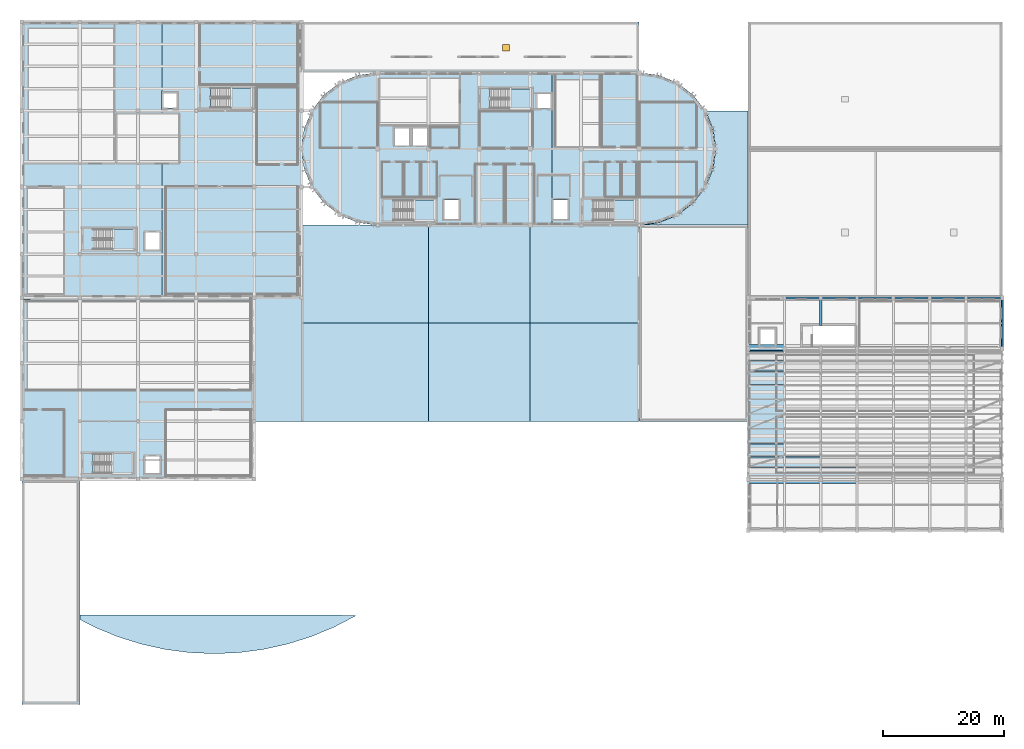
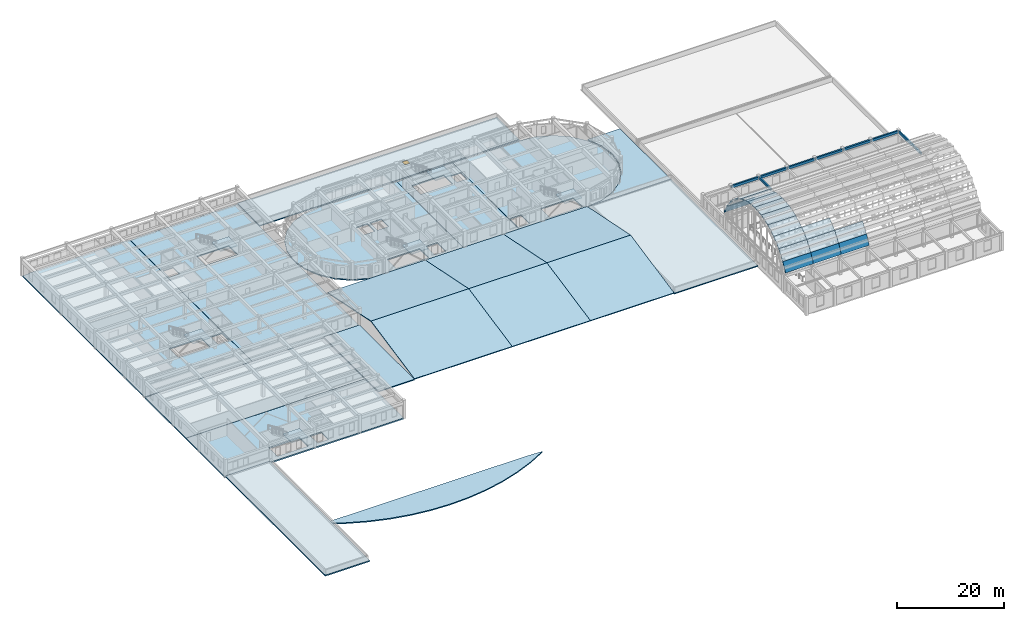
# One storey, part 12 of 46: 25 slabs, 17 plates, 8 beams, 1 door, 1 opening, 6 elements without a shape of their own.
"""IFC4 building model written with IfcOpenShell, lengths in metres."""

from ifc_helpers import new_model, si_unit, direction, frame, origin, origin_2d, place, context, subcontext, project, spatial, polyline, rectangle, outline, extrude, material, layer, layer_set, material_profile, profile_set, type_object, element, fill, aggregate, save


model = new_model("IFC4")

# Units and contexts
model_context = context("Model", 3, precision=1e-05, world=origin(), true_north=direction((0.0, 1.0)))
body_context = subcontext(model_context, "Body", "Model", "MODEL_VIEW")
ifc_project = project(units=[si_unit("LENGTHUNIT", "METRE"), si_unit("AREAUNIT", "SQUARE_METRE"), si_unit("VOLUMEUNIT", "CUBIC_METRE"), si_unit("PLANEANGLEUNIT", "RADIAN"), si_unit("MASSUNIT", "GRAM", prefix="KILO")], contexts=[model_context])

# Site, building, storey
site_placement = place(None, origin())
site = spatial("IfcSite", under=ifc_project, at=site_placement, CompositionType="ELEMENT")
building_placement = place(site_placement, origin())
building = spatial("IfcBuilding", under=site, at=building_placement, Name="Tarnavel Promenade Courthouse", CompositionType="ELEMENT")
storey_placement = place(building_placement, frame((0.0, 0.0, 14.39990234375)))
storey = spatial("IfcBuildingStorey", under=building, at=storey_placement, Name="L04", CompositionType="ELEMENT", Elevation=14.39990234375)

# Beams
ifc_material_1 = material(Name="Concrete C40/50", Category="concrete")
ifc_material_profile_1 = material_profile(ifc_material_1, rectangle(XDim=0.35009765625, YDim=0.449951171875, at=origin_2d()), Name="RC 350x450")
ifc_profile_set_1 = profile_set([ifc_material_profile_1], Name="Concrete C40/50")
beam_type_1 = type_object("IfcBeamType", Name="Concrete C40/50 BM-RC-350x450 (RC 350x450)", PredefinedType="BEAM", material=ifc_profile_set_1)
beam_1_placement = place(storey_placement, frame((132.0, 62.64990234375, 3.72998046875), z_axis=(0.0, 1.0, 0.0), x_axis=(-1.0, 0.0, 0.0)))
element("IfcBeam", 1, at=beam_1_placement, inside=storey, type_object=beam_type_1, Name="L04 Transverse Girder 2122", PredefinedType="BEAM", context=body_context, shape_type="SweptSolid", body=[
    extrude(rectangle(XDim=0.35009765625, YDim=0.449951171875, at=origin_2d()), origin(), (0.0, 0.0, 1.0), 4.550048828125),
])
ifc_material_profile_2 = material_profile(ifc_material_1, rectangle(XDim=0.35009765625, YDim=0.550048828125, at=origin_2d()), Name="RC 350x550")
ifc_profile_set_2 = profile_set([ifc_material_profile_2], Name="Concrete C40/50")
beam_type_2 = type_object("IfcBeamType", Name="Concrete C40/50 BM-RC-350x550 (RC 350x550)", PredefinedType="BEAM", material=ifc_profile_set_2)
for number, where, z_axis, x_axis, name in (
    (2, (126.0, 67.199951171875, 3.68017578125), (1.0, 0.0, 0.0), (0.0, 1.0, 0.0), "L04 Primary Longitudinal Beam 2017"),
    (3, (132.0, 67.199951171875, 3.68017578125), (1.0, 0.0, 0.0), (0.0, 1.0, 0.0), "L04 Primary Longitudinal Beam 2018"),
    (4, (138.0, 67.199951171875, 3.68017578125), (1.0, 0.0, 0.0), (0.0, 1.0, 0.0), "L04 Primary Longitudinal Beam 2019"),
    (5, (144.0, 67.199951171875, 3.68017578125), (1.0, 0.0, 0.0), (0.0, 1.0, 0.0), "L04 Primary Longitudinal Beam 2020"),
    (6, (150.0, 67.199951171875, 3.68017578125), (1.0, 0.0, 0.0), (0.0, 1.0, 0.0), "L04 Primary Longitudinal Beam 2021"),
    (7, (156.0, 67.199951171875, 3.68017578125), (1.0, 0.0, 0.0), (0.0, 1.0, 0.0), "L04 Primary Longitudinal Beam 2022"),
):
    element("IfcBeam", number, at=place(storey_placement, frame(where, z_axis=z_axis, x_axis=x_axis)), inside=storey, type_object=beam_type_2, Name=name, PredefinedType="BEAM", context=body_context, shape_type="SweptSolid", body=[
        extrude(rectangle(XDim=0.35009765625, YDim=0.550048828125, at=origin_2d()), origin(), (0.0, 0.0, 1.0), 6.0),
    ])
ifc_material_profile_3 = material_profile(ifc_material_1, rectangle(XDim=0.300048828125, YDim=0.5, at=origin_2d()), Name="RC 300x500")
ifc_profile_set_3 = profile_set([ifc_material_profile_3], Name="Concrete C40/50")
beam_type_3 = type_object("IfcBeamType", Name="Concrete C40/50 BM-SP-300x500 (RC 300x500)", PredefinedType="SPANDREL", material=ifc_profile_set_3)
beam_2_placement = place(storey_placement, frame((162.0, 58.800048828125, 3.705078125), z_axis=(0.0, 1.0, 0.0), x_axis=(-1.0, 0.0, 0.0)))
element("IfcBeam", 8, at=beam_2_placement, inside=storey, type_object=beam_type_3, Name="L04 Transverse Girder 2132", PredefinedType="SPANDREL", context=body_context, shape_type="SweptSolid", body=[
    extrude(rectangle(XDim=0.300048828125, YDim=0.5, at=origin_2d()), origin(), (0.0, 0.0, 1.0), 8.39990234375),
])

# Slabs
ifc_material_2 = material(Name="Concrete C35/45", Category="concrete")
ifc_layer_1 = layer(ifc_material_2, 0.215087890625)
ifc_layer_set_1 = layer_set([ifc_layer_1], Name="Concrete C35/45")
slab_type_1 = type_object("IfcSlabType", Name="Concrete C35/45 SLB-RF-215 (215 mm)", PredefinedType="ROOF", material=ifc_layer_set_1)
for number, where, z_axis, x_axis, name in (
    (9, (46.199951171875, 46.800048828125, 0.340087890625), (0.0, -0.199607895563, 0.979875853376), (1.0, 0.0, 0.0), "L04 Winter-Garden Concourse South Pitched Roof 1"),
    (10, (46.199951171875, 63.0, 3.64013671875), (0.0, 0.199607895563, 0.979875853376), (1.0, 0.0, 0.0), "L04 Winter-Garden Concourse North Pitched Roof 1"),
):
    element("IfcSlab", number, at=place(storey_placement, frame(where, z_axis=z_axis, x_axis=x_axis)), inside=storey, type_object=slab_type_1, Name=name, PredefinedType="ROOF", context=body_context, shape_type="SweptSolid", body=[
        extrude(outline(polyline([(0.0, 0.0), (21.0, 0.0), (21.0, 16.532656781024134), (0.0, 16.532656781024134), (0.0, 0.0)])), origin(), (0.0, 0.0, -1.0), 0.215087890625),
    ])
for number, where, z_axis, x_axis, name in (
    (11, (67.199951171875, 46.800048828125, 0.340087890625), (0.0, -0.199607895563, 0.979875853376), (1.0, 0.0, 0.0), "L04 Winter-Garden Concourse South Pitched Roof 2"),
    (12, (67.199951171875, 63.0, 3.64013671875), (0.0, 0.199607895563, 0.979875853376), (1.0, 0.0, 0.0), "L04 Winter-Garden Concourse North Pitched Roof 2"),
):
    element("IfcSlab", number, at=place(storey_placement, frame(where, z_axis=z_axis, x_axis=x_axis)), inside=storey, type_object=slab_type_1, Name=name, PredefinedType="ROOF", context=body_context, shape_type="SweptSolid", body=[
        extrude(outline(polyline([(0.0, 0.0), (16.800048828125, 0.0), (16.800048828125, 16.532656781024134), (0.0, 16.532656781024134), (0.0, 0.0)])), origin(), (0.0, 0.0, -1.0), 0.215087890625),
    ])
for number, where, z_axis, x_axis, name in (
    (13, (84.0, 46.800048828125, 0.340087890625), (0.0, -0.199607895563, 0.979875853376), (1.0, 0.0, 0.0), "L04 Winter-Garden Concourse South Pitched Roof 3"),
    (14, (84.0, 63.0, 3.64013671875), (0.0, 0.199607895563, 0.979875853376), (1.0, 0.0, 0.0), "L04 Winter-Garden Concourse North Pitched Roof 3"),
):
    element("IfcSlab", number, at=place(storey_placement, frame(where, z_axis=z_axis, x_axis=x_axis)), inside=storey, type_object=slab_type_1, Name=name, PredefinedType="ROOF", context=body_context, shape_type="SweptSolid", body=[
        extrude(outline(polyline([(0.0, 0.0), (18.0, 0.0), (18.0, 16.532656781024134), (0.0, 16.532656781024134), (0.0, 0.0)])), origin(), (0.0, 0.0, -1.0), 0.215087890625),
    ])
ifc_layer_2 = layer(ifc_material_2, 0.235107421875)
ifc_layer_set_2 = layer_set([ifc_layer_2], Name="Concrete C35/45")
slab_type_2 = type_object("IfcSlabType", Name="Concrete C35/45 SLB-RF-235 (235 mm)", PredefinedType="ROOF", material=ifc_layer_set_2)
slab_1_placement = place(storey_placement, origin())
element("IfcSlab", 15, at=slab_1_placement, inside=storey, type_object=slab_type_2, Name="L04 East Custody Link Neck Roof", PredefinedType="ROOF", context=body_context, shape_type="SweptSolid", body=[
    extrude(outline(polyline([(102.050048828125, 79.219970703125), (119.97998046875, 79.219970703125), (119.97998046875, 98.10009765625), (112.9619140625, 98.10009765625), (114.220703125, 95.06103515625), (114.64990234375, 91.800048828125), (114.220703125, 88.538818359375), (112.9619140625, 85.5), (110.95947265625, 82.890380859375), (108.35009765625, 80.88818359375), (105.31103515625, 79.62939453125), (102.050048828125, 79.219970703125)])), origin(), (0.0, 0.0, 1.0), 0.235107421875),
])
slab_2_placement = place(storey_placement, origin())
element("IfcSlab", 16, at=slab_2_placement, inside=storey, type_object=slab_type_2, Name="L04 Winter-Garden East Wing Roof", PredefinedType="ROOF", context=body_context, shape_type="SweptSolid", body=[
    extrude(outline(polyline([(102.02001953125, 46.800048828125), (119.97998046875, 46.800048828125), (119.97998046875, 79.179931640625), (102.02001953125, 79.179931640625), (102.02001953125, 46.800048828125)])), origin(), (0.0, 0.0, 1.0), 0.235107421875),
])
slab_3_placement = place(storey_placement, origin())
element("IfcSlab", 17, at=slab_3_placement, inside=storey, type_object=slab_type_2, Name="L04 Winter-Garden West Library Link Roof", PredefinedType="ROOF", context=body_context, shape_type="SweptSolid", body=[
    extrude(outline(polyline([(38.419921875, 46.800048828125), (46.179931640625, 46.800048828125), (46.179931640625, 67.179931640625), (38.419921875, 67.179931640625), (38.419921875, 46.800048828125)])), origin(), (0.0, 0.0, 1.0), 0.235107421875),
])

# Slab, opening, door
slab_4_placement = place(storey_placement, origin())
slab_4 = element("IfcSlab", 18, at=slab_4_placement, inside=storey, type_object=slab_type_2, Name="L04 North Entrance Foyer Roof", PredefinedType="ROOF", context=body_context, shape_type="SweptSolid", body=[
    extrude(outline(polyline([(46.219970703125, 104.419921875), (102.0, 104.419921875), (102.0, 112.800048828125), (46.219970703125, 112.800048828125), (46.219970703125, 104.419921875)])), origin(), (0.0, 0.0, 1.0), 0.235107421875),
])
opening_placement = place(slab_4_placement, frame((80.0, 108.5, 0.0)))
opening = element("IfcOpeningElement", 19, at=opening_placement, cuts=slab_4, Name="Opening HT-01", PredefinedType="OPENING", context=body_context, shape_type="SweptSolid", body=[
    extrude(rectangle(XDim=1.10009765625, YDim=1.10009765625, at=origin_2d()), origin(), (0.0, 0.0, 1.0), 0.235107421875),
])
ifc_material_3 = material(Name="Thermally Broken Insulated Aluminium Roof Access Hatch", Category="aluminium")
door_type = type_object("IfcDoorType", Name="Thermally Broken Insulated Aluminium Roof Access Hatch (HT-RF-1100x1100)", OperationType="NOTDEFINED", PredefinedType="TRAPDOOR", material=ifc_material_3)
door_placement = place(opening_placement, frame((0.0, 0.0, 0.18505859375)))
door = element("IfcDoor", 20, at=door_placement, inside=storey, type_object=door_type, Name="L04 Roof Maintenance Access Hatch HT-03", OperationType="SINGLE_SWING_LEFT", OverallHeight=1.10009765625, OverallWidth=1.10009765625, PredefinedType="TRAPDOOR", context=body_context, shape_type="SweptSolid", body=[
    extrude(rectangle(XDim=1.10009765625, YDim=1.10009765625, at=origin_2d()), origin(), (0.0, 0.0, 1.0), 0.050048828125),
])
fill(opening, door)

# Slabs
slab_5_placement = place(storey_placement, origin())
element("IfcSlab", 21, at=slab_5_placement, inside=storey, type_object=slab_type_2, Name="L04 Public Drum Front Eave Collar Roof", PredefinedType="ROOF", context=body_context, shape_type="SweptSolid", body=[
    extrude(outline(polyline([(51.60009765625, 14.800048828125), (55.199951171875, 14.669921875), (51.57861328125, 12.784912109375), (47.806396484375, 11.222412109375), (43.91259765625, 9.99462890625), (39.9267578125, 9.111083984375), (35.87890625, 8.578125), (31.800048828125, 8.39990234375), (27.72119140625, 8.578125), (23.67333984375, 9.111083984375), (19.687255859375, 9.99462890625), (15.79345703125, 11.222412109375), (12.021484375, 12.784912109375), (9.6298828125, 14.02978515625), (9.6298828125, 14.800048828125), (51.60009765625, 14.800048828125)])), origin(), (0.0, 0.0, 1.0), 0.235107421875),
])
ifc_layer_3 = layer(ifc_material_2, 0.264892578125)
ifc_layer_set_3 = layer_set([ifc_layer_3], Name="Concrete C35/45")
slab_type_3 = type_object("IfcSlabType", Name="Concrete C35/45 SLB-RF-265 (265 mm)", PredefinedType="ROOF", material=ifc_layer_set_3)
slab_6_placement = place(storey_placement, origin())
element("IfcSlab", 22, at=slab_6_placement, inside=storey, type_object=slab_type_3, Name="L04 Portal Pavilion Roof", PredefinedType="ROOF", context=body_context, shape_type="SweptSolid", body=[
    extrude(outline(polyline([(0.0, 0.0), (9.60009765625, 0.0), (9.60009765625, 37.199951171875), (0.0, 37.199951171875), (0.0, 0.0)])), origin(), (0.0, 0.0, 1.0), 0.26513671875),
])

# Stair, slab
stair_type_1 = type_object("IfcStairType", Name="Concrete C35/45 Half-Turn Stair STR-03 (1560W-300G-24R)", PredefinedType="HALF_TURN_STAIR", material=ifc_material_2)
stair_1_placement = place(storey_placement, origin())
stair_1 = element("IfcStair", 23, at=stair_1_placement, inside=storey, type_object=stair_type_1, Name="L04 West Bar Firefighting Exit Stair", PredefinedType="HALF_TURN_STAIR")
ifc_layer_4 = layer(ifc_material_2, 0.205078125)
ifc_layer_set_4 = layer_set([ifc_layer_4], Name="Concrete C35/45")
slab_type_4 = type_object("IfcSlabType", Name="Concrete C35/45 Stair Landing SLB-LND-205 (205 mm)", PredefinedType="LANDING", material=ifc_layer_set_4)
slab_7_placement = place(storey_placement, frame((0.0, 0.0, 1.900146484375)))
slab_7 = element("IfcSlab", 24, at=slab_7_placement, type_object=slab_type_4, Name="ST-01 landing 1", PredefinedType="LANDING", context=body_context, shape_type="SweptSolid", body=[
    extrude(outline(polyline([(64.659912109375, 80.0), (68.39990234375, 80.0), (68.39990234375, 83.320068359375), (64.659912109375, 83.320068359375), (64.659912109375, 80.0)])), origin(), (0.0, 0.0, 1.0), 0.199951171875),
])
aggregate(stair_1, [slab_7])

stair_2_placement = place(storey_placement, origin())
stair_2 = element("IfcStair", 25, at=stair_2_placement, inside=storey, type_object=stair_type_1, Name="L04 East Bar Firefighting Exit Stair", PredefinedType="HALF_TURN_STAIR")
slab_8_placement = place(storey_placement, frame((0.0, 0.0, 1.900146484375)))
slab_8 = element("IfcSlab", 26, at=slab_8_placement, type_object=slab_type_4, Name="ST-02 landing 1", PredefinedType="LANDING", context=body_context, shape_type="SweptSolid", body=[
    extrude(outline(polyline([(97.659912109375, 80.0), (101.39990234375, 80.0), (101.39990234375, 83.320068359375), (97.659912109375, 83.320068359375), (97.659912109375, 80.0)])), origin(), (0.0, 0.0, 1.0), 0.199951171875),
])
aggregate(stair_2, [slab_8])

stair_type_2 = type_object("IfcStairType", Name="Concrete C35/45 Half-Turn Stair STR-06 (1520W-290G-24R)", PredefinedType="HALF_TURN_STAIR", material=ifc_material_2)
stair_3_placement = place(storey_placement, origin())
stair_3 = element("IfcStair", 27, at=stair_3_placement, inside=storey, type_object=stair_type_2, Name="L04 Central Judicial Chambers Exit Stair", PredefinedType="HALF_TURN_STAIR")
slab_9_placement = place(storey_placement, frame((0.0, 0.0, 1.900146484375)))
slab_9 = element("IfcSlab", 28, at=slab_9_placement, type_object=slab_type_4, Name="ST-03 landing 1", PredefinedType="LANDING", context=body_context, shape_type="SweptSolid", body=[
    extrude(outline(polyline([(80.510009765625, 98.5), (84.199951171875, 98.5), (84.199951171875, 101.739990234375), (80.510009765625, 101.739990234375), (80.510009765625, 98.5)])), origin(), (0.0, 0.0, 1.0), 0.199951171875),
])
aggregate(stair_3, [slab_9])

stair_type_3 = type_object("IfcStairType", Name="Concrete C35/45 Half-Turn Stair STR-09 (1580W-290G-24R)", PredefinedType="HALF_TURN_STAIR", material=ifc_material_2)
stair_4_placement = place(storey_placement, origin())
stair_4 = element("IfcStair", 29, at=stair_4_placement, inside=storey, type_object=stair_type_3, Name="L04 Trial Courts West Exit Stair", PredefinedType="HALF_TURN_STAIR")
slab_10_placement = place(storey_placement, frame((0.0, 0.0, 1.900146484375)))
slab_10 = element("IfcSlab", 30, at=slab_10_placement, type_object=slab_type_4, Name="ST-04 landing 1", PredefinedType="LANDING", context=body_context, shape_type="SweptSolid", body=[
    extrude(outline(polyline([(14.969970703125, 75.199951171875), (18.699951171875, 75.199951171875), (18.699951171875, 78.56005859375), (14.969970703125, 78.56005859375), (14.969970703125, 75.199951171875)])), origin(), (0.0, 0.0, 1.0), 0.199951171875),
])
aggregate(stair_4, [slab_10])

stair_type_4 = type_object("IfcStairType", Name="Concrete C35/45 Half-Turn Stair STR-12 (1540W-300G-24R)", PredefinedType="HALF_TURN_STAIR", material=ifc_material_2)
stair_5_placement = place(storey_placement, origin())
stair_5 = element("IfcStair", 31, at=stair_5_placement, inside=storey, type_object=stair_type_4, Name="L04 Trial Courts North Exit Stair", PredefinedType="HALF_TURN_STAIR")
slab_11_placement = place(storey_placement, frame((0.0, 0.0, 1.900146484375)))
slab_11 = element("IfcSlab", 32, at=slab_11_placement, type_object=slab_type_4, Name="ST-07 landing 1", PredefinedType="LANDING", context=body_context, shape_type="SweptSolid", body=[
    extrude(outline(polyline([(34.43994140625, 98.60009765625), (38.10009765625, 98.60009765625), (38.10009765625, 101.8798828125), (34.43994140625, 101.8798828125), (34.43994140625, 98.60009765625)])), origin(), (0.0, 0.0, 1.0), 0.199951171875),
])
aggregate(stair_5, [slab_11])

stair_type_5 = type_object("IfcStairType", Name="Concrete C35/45 Half-Turn Stair STR-14 (1520W-280G-24R)", PredefinedType="HALF_TURN_STAIR", material=ifc_material_2)
stair_6_placement = place(storey_placement, origin())
stair_6 = element("IfcStair", 33, at=stair_6_placement, inside=storey, type_object=stair_type_5, Name="L04 Law Library Exit Stair", PredefinedType="HALF_TURN_STAIR")
slab_12_placement = place(storey_placement, frame((0.0, 0.0, 1.900146484375)))
slab_12 = element("IfcSlab", 34, at=slab_12_placement, type_object=slab_type_4, Name="ST-05 landing 1", PredefinedType="LANDING", context=body_context, shape_type="SweptSolid", body=[
    extrude(outline(polyline([(14.800048828125, 38.199951171875), (18.39990234375, 38.199951171875), (18.39990234375, 41.43994140625), (14.800048828125, 41.43994140625), (14.800048828125, 38.199951171875)])), origin(), (0.0, 0.0, 1.0), 0.199951171875),
])
aggregate(stair_6, [slab_12])

# Slabs
ifc_layer_5 = layer(ifc_material_1, 0.25)
ifc_layer_set_5 = layer_set([ifc_layer_5], Name="Concrete C40/50")
slab_type_5 = type_object("IfcSlabType", Name="Concrete C40/50 SLB-PT-250 (250 mm)", PredefinedType="FLOOR", material=ifc_layer_set_5)
slab_13_placement = place(storey_placement, frame((0.0, 0.0, -0.25)))
element("IfcSlab", 35, at=slab_13_placement, inside=storey, type_object=slab_type_5, Name="L04 Stacked Courts West Drum Floor Slab", PredefinedType="FLOOR", context=body_context, shape_type="SweptSolid", body=[
    extrude(outline(polyline([(75.580078125, 79.219970703125), (75.580078125, 104.3798828125), (58.800048828125, 104.39990234375), (55.538818359375, 103.970703125), (52.5, 102.7119140625), (49.890380859375, 100.70947265625), (47.88818359375, 98.10009765625), (46.62939453125, 95.06103515625), (46.199951171875, 91.800048828125), (46.62939453125, 88.538818359375), (47.88818359375, 85.5), (49.890380859375, 82.890380859375), (52.5, 80.88818359375), (55.538818359375, 79.62939453125), (58.800048828125, 79.199951171875), (75.580078125, 79.219970703125)]), holes=[polyline([(61.405029296875, 80.0), (68.39990234375, 80.0), (68.39990234375, 83.320068359375), (61.405029296875, 83.320068359375), (61.405029296875, 80.0)]), polyline([(69.800048828125, 80.199951171875), (72.199951171875, 80.199951171875), (72.199951171875, 83.39990234375), (69.800048828125, 83.39990234375), (69.800048828125, 80.199951171875)]), polyline([(61.60009765625, 92.39990234375), (64.0, 92.39990234375), (64.0, 95.199951171875), (61.60009765625, 95.199951171875), (61.60009765625, 92.39990234375)]), polyline([(64.60009765625, 92.39990234375), (67.0, 92.39990234375), (67.0, 95.199951171875), (64.60009765625, 95.199951171875), (64.60009765625, 92.39990234375)])]), origin(), (0.0, 0.0, 1.0), 0.25),
])
slab_14_placement = place(storey_placement, frame((0.0, 0.0, -0.25)))
element("IfcSlab", 36, at=slab_14_placement, inside=storey, type_object=slab_type_5, Name="L04 Stacked Courts Central Floor Slab", PredefinedType="FLOOR", context=body_context, shape_type="SweptSolid", body=[
    extrude(outline(polyline([(75.6201171875, 79.219970703125), (87.580078125, 79.219970703125), (87.580078125, 104.3798828125), (77.02001953125, 104.3798828125), (77.02001953125, 104.219970703125), (75.6201171875, 104.219970703125), (75.6201171875, 79.219970703125)]), holes=[polyline([(77.364990234375, 98.5), (84.199951171875, 98.5), (84.199951171875, 101.739990234375), (77.364990234375, 101.739990234375), (77.364990234375, 98.5)]), polyline([(85.199951171875, 98.5), (87.39990234375, 98.5), (87.39990234375, 100.89990234375), (85.199951171875, 100.89990234375), (85.199951171875, 98.5)])]), origin(), (0.0, 0.0, 1.0), 0.25),
])
slab_15_placement = place(storey_placement, frame((0.0, 0.0, -0.25)))
element("IfcSlab", 37, at=slab_15_placement, inside=storey, type_object=slab_type_5, Name="L04 Stacked Courts East Drum Floor Slab", PredefinedType="FLOOR", context=body_context, shape_type="SweptSolid", body=[
    extrude(outline(polyline([(87.6201171875, 104.3798828125), (87.6201171875, 79.219970703125), (102.0, 79.199951171875), (105.26123046875, 79.62939453125), (108.300048828125, 80.88818359375), (110.909423828125, 82.890380859375), (112.911865234375, 85.5), (114.170654296875, 88.538818359375), (114.60009765625, 91.800048828125), (114.170654296875, 95.06103515625), (112.911865234375, 98.10009765625), (110.909423828125, 100.70947265625), (108.300048828125, 102.7119140625), (105.26123046875, 103.970703125), (102.0, 104.39990234375), (87.6201171875, 104.3798828125)]), holes=[polyline([(94.405029296875, 80.0), (101.39990234375, 80.0), (101.39990234375, 83.320068359375), (94.405029296875, 83.320068359375), (94.405029296875, 80.0)]), polyline([(87.800048828125, 80.199951171875), (90.199951171875, 80.199951171875), (90.199951171875, 83.39990234375), (87.800048828125, 83.39990234375), (87.800048828125, 80.199951171875)])]), origin(), (0.0, 0.0, 1.0), 0.25),
])
slab_16_placement = place(storey_placement, frame((0.0, 0.0, -0.25)))
element("IfcSlab", 38, at=slab_16_placement, inside=storey, type_object=slab_type_5, Name="L04 Trial Courtrooms W PT Floor Slab", PredefinedType="FLOOR", context=body_context, shape_type="SweptSolid", body=[
    extrude(outline(polyline([(0.0, 67.219970703125), (23.080078125, 67.219970703125), (23.080078125, 112.800048828125), (1.39990234375, 112.800048828125), (1.39990234375, 112.639892578125), (0.0, 112.639892578125), (0.0, 67.219970703125)]), holes=[polyline([(11.824951171875, 75.199951171875), (18.699951171875, 75.199951171875), (18.699951171875, 78.56005859375), (11.824951171875, 78.56005859375), (11.824951171875, 75.199951171875)]), polyline([(20.39990234375, 75.199951171875), (22.800048828125, 75.199951171875), (22.800048828125, 78.0), (20.39990234375, 78.0), (20.39990234375, 75.199951171875)])]), origin(), (0.0, 0.0, 1.0), 0.25),
])
slab_17_placement = place(storey_placement, frame((0.0, 0.0, -0.25)))
element("IfcSlab", 39, at=slab_17_placement, inside=storey, type_object=slab_type_5, Name="L04 Trial Courtrooms E PT Floor Slab", PredefinedType="FLOOR", context=body_context, shape_type="SweptSolid", body=[
    extrude(outline(polyline([(23.1201171875, 67.219970703125), (46.179931640625, 67.219970703125), (46.179931640625, 112.800048828125), (24.52001953125, 112.800048828125), (24.52001953125, 112.639892578125), (23.1201171875, 112.639892578125), (23.1201171875, 67.219970703125)]), holes=[polyline([(31.18505859375, 98.60009765625), (38.10009765625, 98.60009765625), (38.10009765625, 101.8798828125), (31.18505859375, 101.8798828125), (31.18505859375, 98.60009765625)]), polyline([(23.39990234375, 98.60009765625), (25.60009765625, 98.60009765625), (25.60009765625, 101.0), (23.39990234375, 101.0), (23.39990234375, 98.60009765625)])]), origin(), (0.0, 0.0, 1.0), 0.25),
])
ifc_layer_6 = layer(ifc_material_1, 0.300048828125)
ifc_layer_set_6 = layer_set([ifc_layer_6], Name="Concrete C40/50")
slab_type_6 = type_object("IfcSlabType", Name="Concrete C40/50 SLB-STK-300 (300 mm)", PredefinedType="FLOOR", material=ifc_layer_set_6)
slab_18_placement = place(storey_placement, frame((0.0, 0.0, -0.2998046875)))
element("IfcSlab", 40, at=slab_18_placement, inside=storey, type_object=slab_type_6, Name="L04 Law Library S Heavy Stack Slab", PredefinedType="FLOOR", context=body_context, shape_type="SweptSolid", body=[
    extrude(outline(polyline([(0.0, 37.39990234375), (1.39990234375, 37.39990234375), (1.39990234375, 37.239990234375), (38.3798828125, 37.239990234375), (38.3798828125, 51.800048828125), (0.0, 51.800048828125), (0.0, 37.39990234375)]), holes=[polyline([(11.764892578125, 38.199951171875), (18.39990234375, 38.199951171875), (18.39990234375, 41.43994140625), (11.764892578125, 41.43994140625), (11.764892578125, 38.199951171875)]), polyline([(20.39990234375, 38.199951171875), (22.800048828125, 38.199951171875), (22.800048828125, 41.0), (20.39990234375, 41.0), (20.39990234375, 38.199951171875)])]), origin(), (0.0, 0.0, 1.0), 0.2998046875),
])
slab_19_placement = place(storey_placement, frame((0.0, 0.0, -0.2998046875)))
element("IfcSlab", 41, at=slab_19_placement, inside=storey, type_object=slab_type_6, Name="L04 Law Library N Heavy Stack Slab", PredefinedType="FLOOR", context=body_context, shape_type="SweptSolid", body=[
    extrude(outline(polyline([(0.0, 51.840087890625), (38.3798828125, 51.840087890625), (38.3798828125, 67.179931640625), (1.39990234375, 67.179931640625), (1.39990234375, 67.02001953125), (0.0, 67.02001953125), (0.0, 51.840087890625)])), origin(), (0.0, 0.0, 1.0), 0.2998046875),
])

# Plates
ifc_material_4 = material(Name="Standing-Seam Copper Insulated Roof Assembly")
ifc_layer_7 = layer(ifc_material_4, 0.195068359375)
ifc_layer_set_7 = layer_set([ifc_layer_7], Name="Standing-Seam Copper Insulated Roof Assembly")
plate_type_1 = type_object("IfcPlateType", Name="Standing-Seam Copper Insulated Roof Assembly PLT-VLT-V1-CROWN (195 mm)", PredefinedType="SHEET", material=ifc_layer_set_7)
plate_1_placement = place(storey_placement, frame((120.0, 40.89501953125, 10.470703125), z_axis=(0.0, -0.500118252027, 0.865957120179), x_axis=(1.0, 0.0, 0.0)))
element("IfcPlate", 42, at=plate_1_placement, inside=storey, type_object=plate_type_1, Name="Barrel Vault Roof Panel V1 Bay 01 Facet 04", PredefinedType="SHEET", context=body_context, shape_type="SweptSolid", body=[
    extrude(outline(polyline([(0.0, 0.0), (6.0, 0.0), (6.0, 2.5272343300859914), (0.0, 2.5272343300859914), (0.0, 0.0)])), origin(), (0.0, 0.0, -1.0), 0.195068359375),
])
plate_2_placement = place(storey_placement, frame((120.0, 43.08349609375, 11.734619140625), z_axis=(0.0, -0.309147237065, 0.95101418802), x_axis=(1.0, 0.0, 0.0)))
element("IfcPlate", 43, at=plate_2_placement, inside=storey, type_object=plate_type_1, Name="Barrel Vault Roof Panel V1 Bay 01 Facet 05", PredefinedType="SHEET", context=body_context, shape_type="SweptSolid", body=[
    extrude(outline(polyline([(0.0, 0.0), (6.0, 0.0), (6.0, 2.5271129945008584), (0.0, 2.5271129945008584), (0.0, 0.0)])), origin(), (0.0, 0.0, -1.0), 0.195068359375),
])
for number, where, z_axis, x_axis, name in (
    (44, (120.0, 45.48681640625, 12.515869140625), (0.0, -0.104533910174, 0.99452132286), (1.0, 0.0, 0.0), "Barrel Vault Roof Panel V1 Bay 01 Facet 06"),
    (45, (120.0, 48.0, 12.780029296875), (0.0, 0.104533910174, 0.99452132286), (1.0, 0.0, 0.0), "Barrel Vault Roof Panel V1 Bay 01 Facet 07"),
):
    element("IfcPlate", number, at=place(storey_placement, frame(where, z_axis=z_axis, x_axis=x_axis)), inside=storey, type_object=plate_type_1, Name=name, PredefinedType="SHEET", context=body_context, shape_type="SweptSolid", body=[
        extrude(outline(polyline([(0.0, 0.0), (6.0, 0.0), (6.0, 2.5270283662919555), (0.0, 2.5270283662919555), (0.0, 0.0)])), origin(), (0.0, 0.0, -1.0), 0.195068359375),
    ])
plate_3_placement = place(storey_placement, frame((120.0, 50.51318359375, 12.515869140625), z_axis=(0.0, 0.309147237065, 0.95101418802), x_axis=(1.0, 0.0, 0.0)))
element("IfcPlate", 46, at=plate_3_placement, inside=storey, type_object=plate_type_1, Name="Barrel Vault Roof Panel V1 Bay 01 Facet 08", PredefinedType="SHEET", context=body_context, shape_type="SweptSolid", body=[
    extrude(outline(polyline([(0.0, 0.0), (6.0, 0.0), (6.0, 2.5271129945008584), (0.0, 2.5271129945008584), (0.0, 0.0)])), origin(), (0.0, 0.0, -1.0), 0.195068359375),
])
plate_4_placement = place(storey_placement, frame((120.0, 52.91650390625, 11.734619140625), z_axis=(0.0, 0.500118252027, 0.865957120179), x_axis=(1.0, 0.0, 0.0)))
element("IfcPlate", 47, at=plate_4_placement, inside=storey, type_object=plate_type_1, Name="Barrel Vault Roof Panel V1 Bay 01 Facet 09", PredefinedType="SHEET", context=body_context, shape_type="SweptSolid", body=[
    extrude(outline(polyline([(0.0, 0.0), (6.0, 0.0), (6.0, 2.5272343300859914), (0.0, 2.5272343300859914), (0.0, 0.0)])), origin(), (0.0, 0.0, -1.0), 0.195068359375),
])
ifc_layer_8 = layer(ifc_material_4, 0.18505859375)
ifc_layer_set_8 = layer_set([ifc_layer_8], Name="Standing-Seam Copper Insulated Roof Assembly")
plate_type_2 = type_object("IfcPlateType", Name="Standing-Seam Copper Insulated Roof Assembly PLT-VLT-V1-LOW (185 mm)", PredefinedType="SHEET", material=ifc_layer_set_8)
plate_5_placement = place(storey_placement, frame((120.0, 36.505615234375, 4.780029296875), z_axis=(0.0, -0.885198711289, 0.465213114103), x_axis=(1.0, 0.0, 0.0)))
element("IfcPlate", 48, at=plate_5_placement, inside=storey, type_object=plate_type_2, Name="Barrel Vault Roof Panel V1 Bay 01 Facet 01", PredefinedType="SHEET", context=body_context, shape_type="SweptSolid", body=[
    extrude(outline(polyline([(0.0, 0.0), (6.0, 0.0), (6.0, 2.20780450558953), (0.0, 2.20780450558953), (0.0, 0.0)])), origin(), (0.0, 0.0, -1.0), 0.18505859375),
])
plate_6_placement = place(storey_placement, frame((120.0, 37.53271484375, 6.734375), z_axis=(0.0, -0.809224611029, 0.587499386302), x_axis=(1.0, 0.0, 0.0)))
element("IfcPlate", 49, at=plate_6_placement, inside=storey, type_object=plate_type_2, Name="Barrel Vault Roof Panel V1 Bay 01 Facet 02", PredefinedType="SHEET", context=body_context, shape_type="SweptSolid", body=[
    extrude(outline(polyline([(0.0, 0.0), (6.0, 0.0), (6.0, 2.527013942890626), (0.0, 2.527013942890626), (0.0, 0.0)])), origin(), (0.0, 0.0, -1.0), 0.18505859375),
])
for number, where, z_axis, x_axis, name in (
    (50, (120.0, 39.017333984375, 8.779296875), (0.0, -0.669290247566, 0.743001052834), (1.0, 0.0, 0.0), "Barrel Vault Roof Panel V1 Bay 01 Facet 03"),
    (51, (120.0, 55.10498046875, 10.470703125), (0.0, 0.669290247566, 0.743001052834), (1.0, 0.0, 0.0), "Barrel Vault Roof Panel V1 Bay 01 Facet 10"),
):
    element("IfcPlate", number, at=place(storey_placement, frame(where, z_axis=z_axis, x_axis=x_axis)), inside=storey, type_object=plate_type_2, Name=name, PredefinedType="SHEET", context=body_context, shape_type="SweptSolid", body=[
        extrude(outline(polyline([(0.0, 0.0), (6.0, 0.0), (6.0, 2.52716404601726), (0.0, 2.52716404601726), (0.0, 0.0)])), origin(), (0.0, 0.0, -1.0), 0.18505859375),
    ])
plate_7_placement = place(storey_placement, frame((120.0, 56.982666015625, 8.779296875), z_axis=(0.0, 0.809224611029, 0.587499386302), x_axis=(1.0, 0.0, 0.0)))
element("IfcPlate", 52, at=plate_7_placement, inside=storey, type_object=plate_type_2, Name="Barrel Vault Roof Panel V1 Bay 01 Facet 11", PredefinedType="SHEET", context=body_context, shape_type="SweptSolid", body=[
    extrude(outline(polyline([(0.0, 0.0), (6.0, 0.0), (6.0, 2.527013942890626), (0.0, 2.527013942890626), (0.0, 0.0)])), origin(), (0.0, 0.0, -1.0), 0.18505859375),
])
for number, where, z_axis, x_axis, name in (
    (53, (120.0, 58.46728515625, 6.734375), (0.0, 0.885198711289, 0.465213114103), (1.0, 0.0, 0.0), "Barrel Vault Roof Panel V1 Bay 01 Facet 12"),
    (54, (126.0, 36.505615234375, 4.780029296875), (0.0, -0.885198711289, 0.465213114103), (1.0, 0.0, 0.0), "Barrel Vault Roof Panel V1 Bay 02 Facet 01"),
):
    element("IfcPlate", number, at=place(storey_placement, frame(where, z_axis=z_axis, x_axis=x_axis)), inside=storey, type_object=plate_type_2, Name=name, PredefinedType="SHEET", context=body_context, shape_type="SweptSolid", body=[
        extrude(outline(polyline([(0.0, 0.0), (6.0, 0.0), (6.0, 2.20780450558953), (0.0, 2.20780450558953), (0.0, 0.0)])), origin(), (0.0, 0.0, -1.0), 0.18505859375),
    ])
plate_8_placement = place(storey_placement, frame((126.0, 37.53271484375, 6.734375), z_axis=(0.0, -0.809224611029, 0.587499386302), x_axis=(1.0, 0.0, 0.0)))
element("IfcPlate", 55, at=plate_8_placement, inside=storey, type_object=plate_type_2, Name="Barrel Vault Roof Panel V1 Bay 02 Facet 02", PredefinedType="SHEET", context=body_context, shape_type="SweptSolid", body=[
    extrude(outline(polyline([(0.0, 0.0), (6.0, 0.0), (6.0, 2.527013942890626), (0.0, 2.527013942890626), (0.0, 0.0)])), origin(), (0.0, 0.0, -1.0), 0.18505859375),
])
plate_9_placement = place(storey_placement, frame((126.0, 39.017333984375, 8.779296875), z_axis=(0.0, -0.669290247566, 0.743001052834), x_axis=(1.0, 0.0, 0.0)))
element("IfcPlate", 56, at=plate_9_placement, inside=storey, type_object=plate_type_2, Name="Barrel Vault Roof Panel V1 Bay 02 Facet 03", PredefinedType="SHEET", context=body_context, shape_type="SweptSolid", body=[
    extrude(outline(polyline([(0.0, 0.0), (6.0, 0.0), (6.0, 2.52716404601726), (0.0, 2.52716404601726), (0.0, 0.0)])), origin(), (0.0, 0.0, -1.0), 0.18505859375),
])
plate_10_placement = place(storey_placement, frame((132.0, 36.505615234375, 4.780029296875), z_axis=(0.0, -0.885198711289, 0.465213114103), x_axis=(1.0, 0.0, 0.0)))
element("IfcPlate", 57, at=plate_10_placement, inside=storey, type_object=plate_type_2, Name="Barrel Vault Roof Panel V1 Bay 03 Facet 01", PredefinedType="SHEET", context=body_context, shape_type="SweptSolid", body=[
    extrude(outline(polyline([(0.0, 0.0), (6.0, 0.0), (6.0, 2.20780450558953), (0.0, 2.20780450558953), (0.0, 0.0)])), origin(), (0.0, 0.0, -1.0), 0.18505859375),
])
plate_11_placement = place(storey_placement, frame((132.0, 37.53271484375, 6.734375), z_axis=(0.0, -0.809224611029, 0.587499386302), x_axis=(1.0, 0.0, 0.0)))
element("IfcPlate", 58, at=plate_11_placement, inside=storey, type_object=plate_type_2, Name="Barrel Vault Roof Panel V1 Bay 03 Facet 02", PredefinedType="SHEET", context=body_context, shape_type="SweptSolid", body=[
    extrude(outline(polyline([(0.0, 0.0), (6.0, 0.0), (6.0, 2.527013942890626), (0.0, 2.527013942890626), (0.0, 0.0)])), origin(), (0.0, 0.0, -1.0), 0.18505859375),
])

save(model, "model.ifc")
